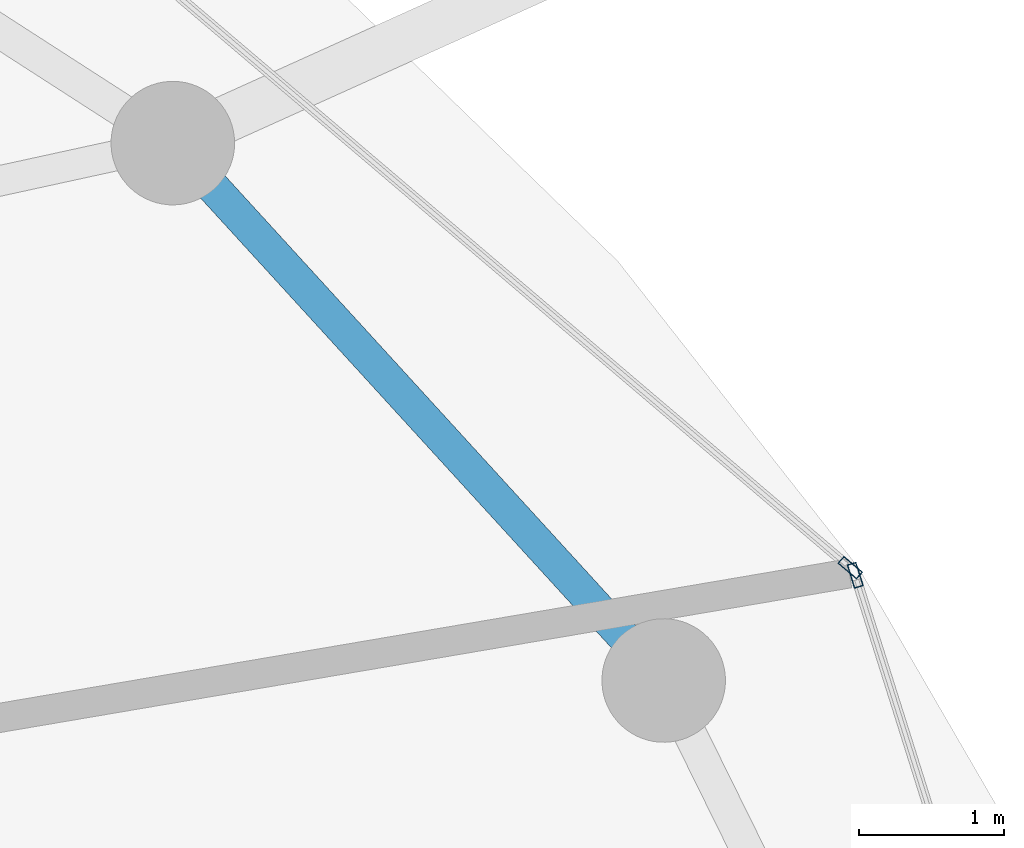
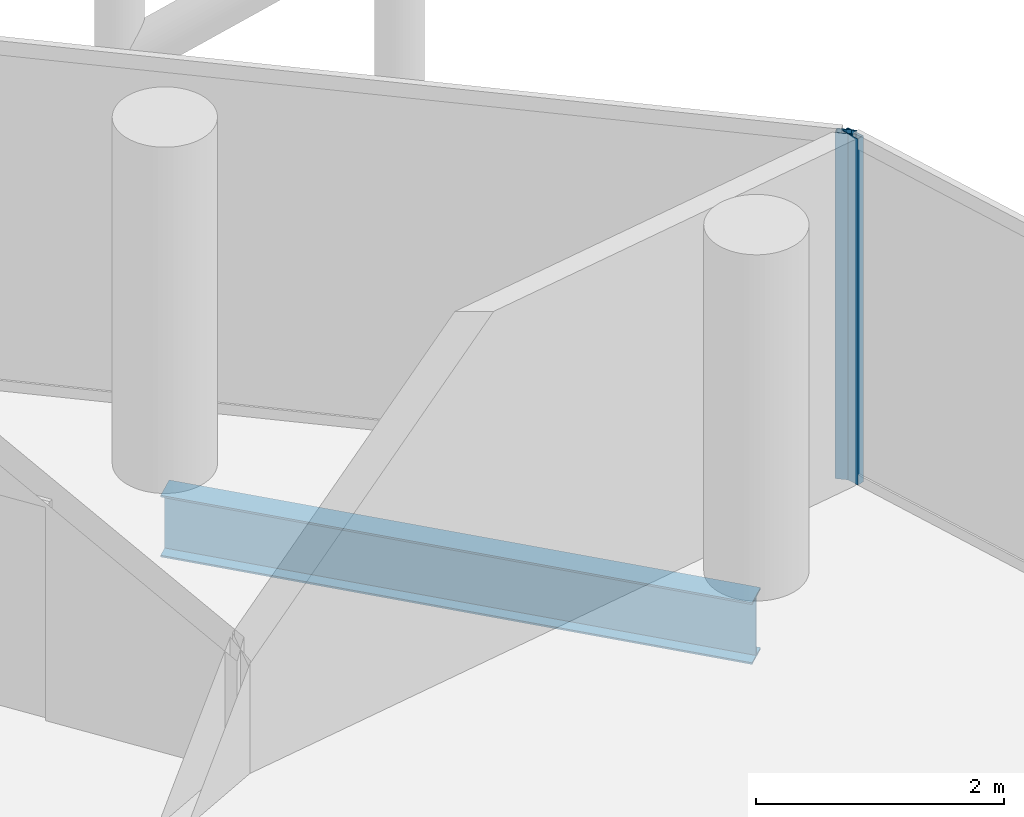
# One storey, part 17 of 27: 2 members, 1 beam, 2 elements without a shape of their own.
"""IFC4 building model written with IfcOpenShell, lengths in metres."""

from ifc_helpers import new_model, si_unit, direction, frame, origin, origin_2d, place, context, subcontext, project, spatial, hollow_rectangle, i_section, extrude, material, layer, layer_set, material_profile, profile_set, type_object, element, aggregate, save


model = new_model("IFC4")

# Units and contexts
model_context = context("Model", 3, precision=1e-05, world=origin(), true_north=direction((0.0, 1.0)))
body_context = subcontext(model_context, "Body", "Model", "MODEL_VIEW")
ifc_project = project(units=[si_unit("LENGTHUNIT", "METRE"), si_unit("AREAUNIT", "SQUARE_METRE"), si_unit("VOLUMEUNIT", "CUBIC_METRE"), si_unit("PLANEANGLEUNIT", "RADIAN"), si_unit("MASSUNIT", "GRAM", prefix="KILO")], contexts=[model_context])

# Site, building, storey
site_placement = place(None, origin())
site = spatial("IfcSite", under=ifc_project, at=site_placement, CompositionType="ELEMENT")
building_placement = place(site_placement, origin())
building = spatial("IfcBuilding", under=site, at=building_placement, Name="Nuhasar Tower", CompositionType="ELEMENT")
storey_placement = place(building_placement, frame((0.0, 0.0, 233.699951171875)))
storey = spatial("IfcBuildingStorey", under=building, at=storey_placement, Name="L57", CompositionType="ELEMENT", Elevation=233.699951171875)

# Beam
ifc_material_1 = material(Name="Steel S355", Category="steel")
ifc_material_profile_1 = material_profile(ifc_material_1, i_section(OverallWidth=0.22802734375, OverallDepth=0.60791015625, WebThickness=0.01123046875, FlangeThickness=0.017333984375, at=origin_2d()), Name="W24X76")
ifc_profile_set_1 = profile_set([ifc_material_profile_1], Name="Steel S355")
beam_type = type_object("IfcBeamType", Name="BM-RING-W24X76", PredefinedType="SPANDREL", material=ifc_profile_set_1)
beam_placement = place(storey_placement, frame((57.403076171875, 35.72509765625, -0.5439453125), z_axis=(-0.674449692975, 0.738320805373, 0.0), x_axis=(-0.738320805373, -0.674449692975, 0.0)))
element("IfcBeam", 1, at=beam_placement, inside=storey, type_object=beam_type, Name="L57 Perimeter Ring Spandrel 03", PredefinedType="SPANDREL", context=body_context, shape_type="SweptSolid", body=[
    extrude(i_section(OverallWidth=0.22802734375, OverallDepth=0.60791015625, WebThickness=0.01123046875, FlangeThickness=0.017333984375, at=origin_2d()), origin(), (0.0, 0.0, 1.0), 5.00732421875),
])

# Curtain wall, member
ifc_material_2 = material(Name="Aluminium 6063-T6", Category="aluminium")
ifc_layer = layer(ifc_material_2, 0.18994140625)
ifc_layer_set = layer_set([ifc_layer], Name="Aluminium 6063-T6")
curtain_wall_type = type_object("IfcCurtainWallType", Name="CW-Z3-RES", PredefinedType="NOTDEFINED", material=ifc_layer_set)
curtain_wall_1_placement = place(storey_placement, origin())
curtain_wall_1 = element("IfcCurtainWall", 2, at=curtain_wall_1_placement, inside=storey, type_object=curtain_wall_type, Name="L57 Unitised Curtain Wall 01", PredefinedType="NOTDEFINED")
ifc_material_profile_2 = material_profile(ifc_material_2, hollow_rectangle(XDim=0.06494140625, YDim=0.169921875, WallThickness=0.0048828125, at=origin_2d()), Name="CWM-4")
ifc_profile_set_2 = profile_set([ifc_material_profile_2], Name="Aluminium 6063-T6")
member_type = type_object("IfcMemberType", Name="CW-MUL-S4", PredefinedType="MULLION", material=ifc_profile_set_2)
member_1_placement = place(storey_placement, frame((58.720703125, 36.448974609375, 0.0), z_axis=(0.0, 0.0, 1.0), x_axis=(-0.95380429279, -0.30042864553, 0.0)))
member_1 = element("IfcMember", 3, at=member_1_placement, type_object=member_type, Name="CW-Z3 mullion 2", PredefinedType="MULLION", context=body_context, shape_type="SweptSolid", body=[
    extrude(hollow_rectangle(XDim=0.06494140625, YDim=0.169921875, WallThickness=0.0048828125, at=origin_2d()), origin(), (0.0, 0.0, 1.0), 3.41015625),
])
aggregate(curtain_wall_1, [member_1])

curtain_wall_2_placement = place(storey_placement, origin())
curtain_wall_2 = element("IfcCurtainWall", 4, at=curtain_wall_2_placement, inside=storey, type_object=curtain_wall_type, Name="L57 Unitised Curtain Wall 02", PredefinedType="NOTDEFINED")
member_2_placement = place(storey_placement, frame((58.686279296875, 36.5009765625, 0.0), z_axis=(0.0, 0.0, 1.0), x_axis=(-0.64789521578, -0.761729472562, 0.0)))
member_2 = element("IfcMember", 5, at=member_2_placement, type_object=member_type, Name="CW-Z3 mullion 1", PredefinedType="MULLION", context=body_context, shape_type="SweptSolid", body=[
    extrude(hollow_rectangle(XDim=0.06494140625, YDim=0.169921875, WallThickness=0.0048828125, at=origin_2d()), origin(), (0.0, 0.0, 1.0), 3.41015625),
])
aggregate(curtain_wall_2, [member_2])

save(model, "model.ifc")
